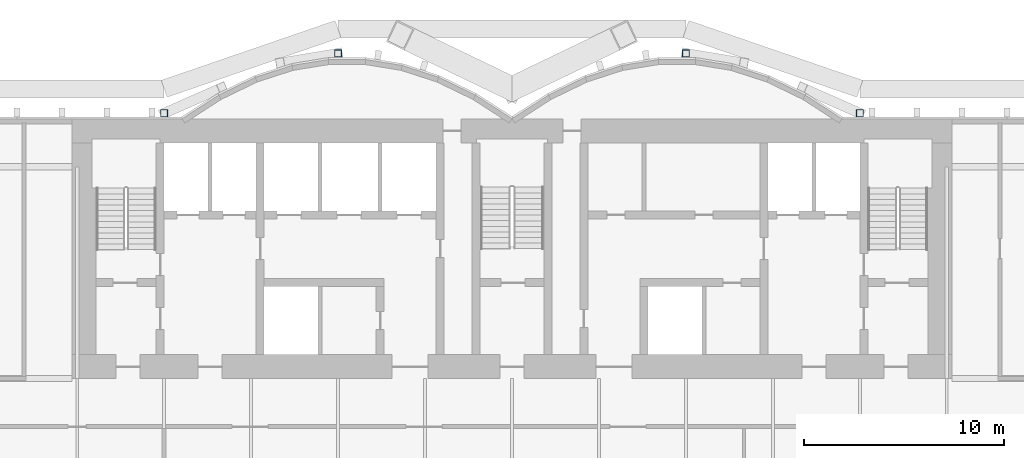
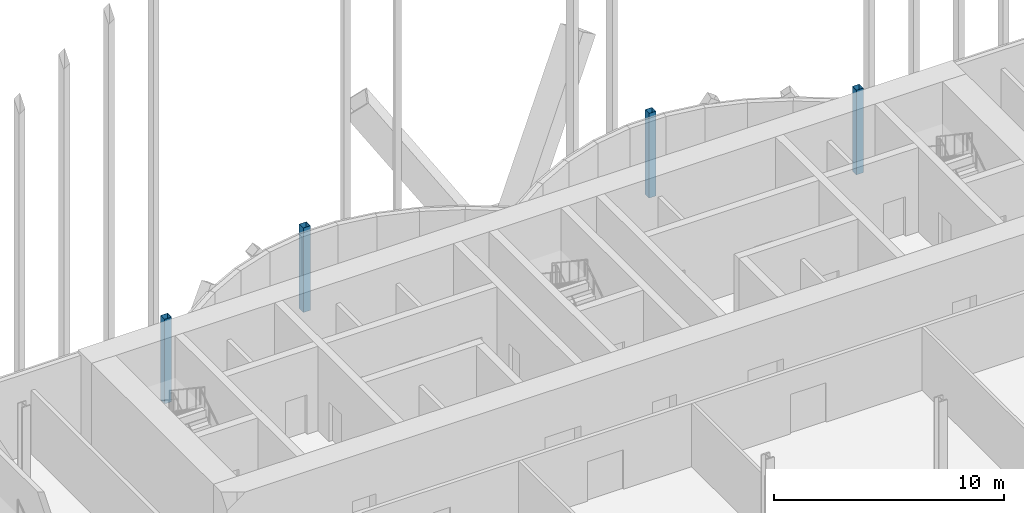
# One storey, part 2 of 29: 4 columns.
"""IFC4 building model written with IfcOpenShell, lengths in metres."""

from ifc_helpers import new_model, si_unit, direction, frame, origin, origin_2d, place, context, subcontext, project, spatial, hollow_rectangle, extrude, material, material_profile, profile_set, type_object, element, save


model = new_model("IFC4")

# Units and contexts
model_context = context("Model", 3, precision=1e-05, world=origin(), true_north=direction((0.0, 1.0)))
body_context = subcontext(model_context, "Body", "Model", "MODEL_VIEW")
ifc_project = project(units=[si_unit("LENGTHUNIT", "METRE"), si_unit("AREAUNIT", "SQUARE_METRE"), si_unit("VOLUMEUNIT", "CUBIC_METRE"), si_unit("PLANEANGLEUNIT", "RADIAN"), si_unit("MASSUNIT", "GRAM", prefix="KILO")], contexts=[model_context])

# Site, building, storey
site_placement = place(None, origin())
site = spatial("IfcSite", under=ifc_project, at=site_placement, CompositionType="ELEMENT")
building_placement = place(site_placement, origin())
building = spatial("IfcBuilding", under=site, at=building_placement, Name="Bicima Exchange Tower", CompositionType="ELEMENT")
storey_placement = place(building_placement, frame((0.0, 0.0, 35.0)))
storey = spatial("IfcBuildingStorey", under=building, at=storey_placement, Name="L06", CompositionType="ELEMENT", Elevation=35.0)

# Columns
ifc_material = material(Name="Steel ASTM A572 Gr 50", Category="steel")
ifc_material_profile = material_profile(ifc_material, hollow_rectangle(XDim=0.355712890625, YDim=0.355712890625, WallThickness=0.01171875, at=origin_2d()))
ifc_profile_set = profile_set([ifc_material_profile], Name="Steel ASTM A572 Gr 50")
column_type = type_object("IfcColumnType", Name="Rear pilaster HSS14x14x1/2", PredefinedType="COLUMN", material=ifc_profile_set)
for number, where, z_axis, x_axis, name in (
    (1, (-8.699951171875, 3.26904296875, 0.0), (0.0, 0.0, 1.0), (1.0, 0.0, 0.0), "Rear pilaster rexo-8.7r"),
    (2, (-17.39990234375, 0.278076171875, 0.0), (0.0, 0.0, 1.0), (1.0, 0.0, 0.0), "Rear pilaster rexo-17.4r"),
    (3, (8.699951171875, 3.26904296875, 0.0), (0.0, 0.0, 1.0), (1.0, 0.0, 0.0), "Rear pilaster rexo+8.7r"),
    (4, (17.39990234375, 0.278076171875, 0.0), (0.0, 0.0, 1.0), (1.0, 0.0, 0.0), "Rear pilaster rexo+17.4r"),
):
    element("IfcColumn", number, at=place(storey_placement, frame(where, z_axis=z_axis, x_axis=x_axis)), inside=storey, type_object=column_type, Name=name, PredefinedType="COLUMN", context=body_context, shape_type="SweptSolid", body=[
        extrude(hollow_rectangle(XDim=0.355712890625, YDim=0.355712890625, WallThickness=0.01171875, at=origin_2d()), origin(), (0.0, 0.0, 1.0), 4.5),
    ])

save(model, "model.ifc")
